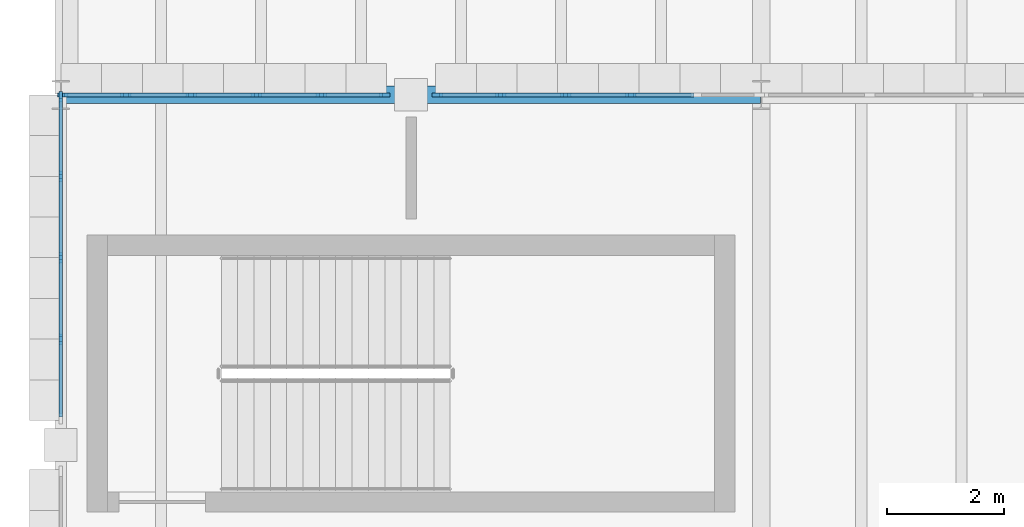
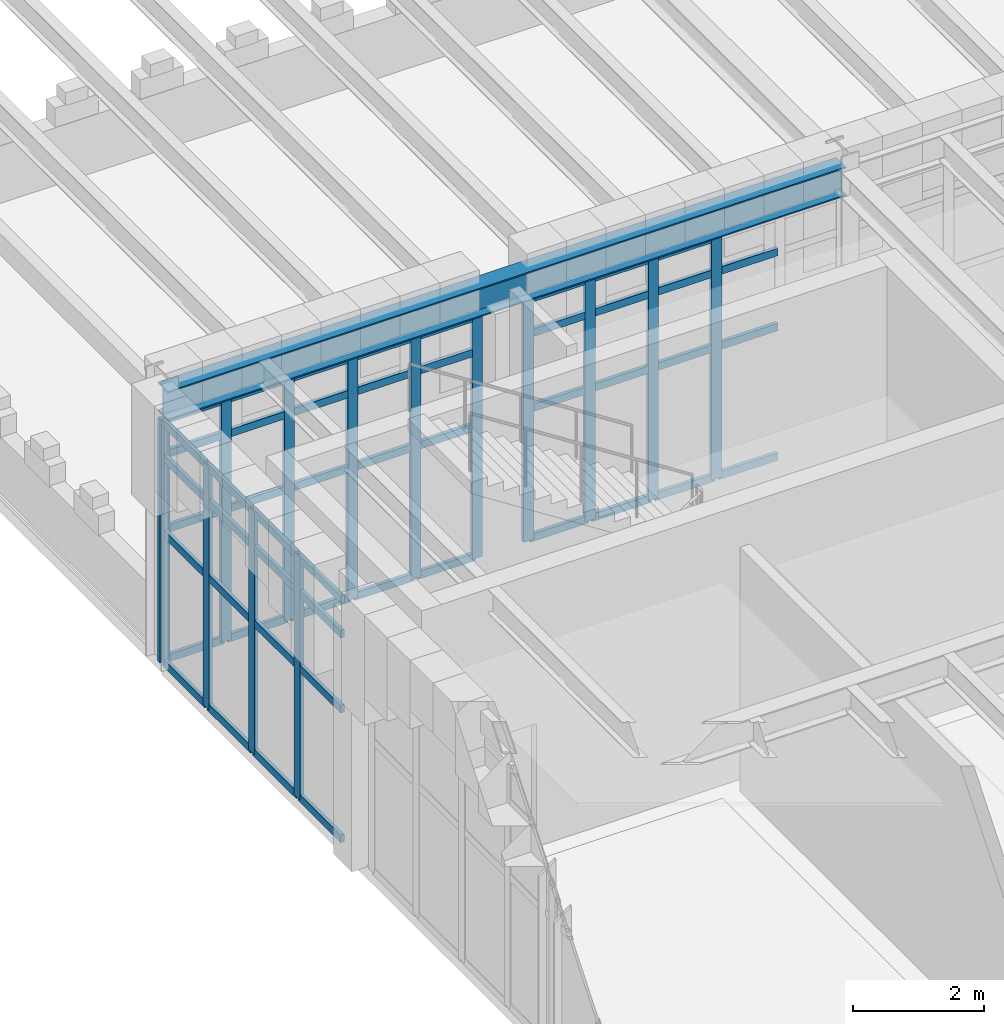
# One storey, part 24 of 100: 65 members, 1 beam, 3 elements without a shape of their own.
"""IFC4 building model written with IfcOpenShell, lengths in metres."""

from ifc_helpers import new_model, si_unit, direction, frame, origin, origin_2d, place, context, subcontext, project, spatial, rectangle, i_section, extrude, material, layer, layer_set, material_profile, profile_set, type_object, element, aggregate, save


model = new_model("IFC4")

# Units and contexts
model_context = context("Model", 3, precision=1e-05, world=origin(), true_north=direction((0.0, 1.0)))
body_context = subcontext(model_context, "Body", "Model", "MODEL_VIEW")
ifc_project = project(units=[si_unit("LENGTHUNIT", "METRE"), si_unit("AREAUNIT", "SQUARE_METRE"), si_unit("VOLUMEUNIT", "CUBIC_METRE"), si_unit("PLANEANGLEUNIT", "RADIAN"), si_unit("MASSUNIT", "GRAM", prefix="KILO")], contexts=[model_context])

# Site, building, storey
site_placement = place(None, origin())
site = spatial("IfcSite", under=ifc_project, at=site_placement, CompositionType="ELEMENT")
building_placement = place(site_placement, origin())
building = spatial("IfcBuilding", under=site, at=building_placement, Name="Zlatogorsky Bluff Art Gallery", CompositionType="ELEMENT")
storey_placement = place(building_placement, frame((0.0, 0.0, 5.39990234375)))
storey = spatial("IfcBuildingStorey", under=building, at=storey_placement, Name="L01", CompositionType="ELEMENT", Elevation=5.39990234375)

# Beam
ifc_material_1 = material(Name="Steel S355", Category="steel")
ifc_material_profile_1 = material_profile(ifc_material_1, i_section(OverallWidth=0.300048828125, OverallDepth=0.5400390625, WebThickness=0.012451171875, FlangeThickness=0.02392578125, FilletRadius=0.027099609375, at=origin_2d()), Name="HEA 550")
ifc_profile_set_1 = profile_set([ifc_material_profile_1], Name="Steel S355")
beam_type = type_object("IfcBeamType", Name="Beam BM-06 HEA 550", PredefinedType="BEAM", material=ifc_profile_set_1)
beam_placement = place(storey_placement, frame((0.014892578125, 108.0, 4.840087890625), z_axis=(1.0, 0.0, 0.0), x_axis=(0.0, 1.0, 0.0)))
element("IfcBeam", 1, at=beam_placement, inside=storey, type_object=beam_type, Name="Primary girder BM-06 L01 A-B/11", PredefinedType="BEAM", context=body_context, shape_type="SweptSolid", body=[
    extrude(i_section(OverallWidth=0.300048828125, OverallDepth=0.5400390625, WebThickness=0.012451171875, FlangeThickness=0.02392578125, FilletRadius=0.027099609375, at=origin_2d()), origin(), (0.0, 0.0, 1.0), 11.97021484375),
])

# Curtain wall, members
ifc_material_2 = material(Name="Anodised Bronze Aluminium and Low-Iron Triple Glazing", Category="aluminium")
ifc_layer_1 = layer(ifc_material_2, 0.179931640625)
ifc_layer_set_1 = layer_set([ifc_layer_1], Name="Curtain Wall CW-03")
curtain_wall_type_1 = type_object("IfcCurtainWallType", Name="Curtain Wall CW-03", PredefinedType="USERDEFINED", material=ifc_layer_set_1)
curtain_wall_1_placement = place(storey_placement, origin())
curtain_wall_1 = element("IfcCurtainWall", 2, at=curtain_wall_1_placement, inside=storey, type_object=curtain_wall_type_1, Name="Unitised curtain wall CW-03 L01 N 0.9-A", ObjectType="CURTAIN WALL", PredefinedType="USERDEFINED")
ifc_material_3 = material(Name="Anodised Bronze Aluminium", Category="aluminium")
ifc_material_profile_2 = material_profile(ifc_material_3, rectangle(XDim=0.06494140625, YDim=0.179931640625, at=origin_2d()), Name="ALU MULLION 65x180")
ifc_profile_set_2 = profile_set([ifc_material_profile_2], Name="Anodised Bronze Aluminium")
member_type_1 = type_object("IfcMemberType", Name="Curtain Mullion ML-01", PredefinedType="MULLION", material=ifc_profile_set_2)
member_1_placement = place(storey_placement, frame((9.76806640625, 108.0, 0.0), z_axis=(0.0, 0.0, 1.0), x_axis=(0.0, -1.0, 0.0)))
member_1 = element("IfcMember", 3, at=member_1_placement, type_object=member_type_1, Name="CW-03 mullion 3", PredefinedType="MULLION", context=body_context, shape_type="SweptSolid", body=[
    extrude(rectangle(XDim=0.06494140625, YDim=0.179931640625, at=origin_2d()), origin(), (0.0, 0.0, 1.0), 4.530029296875),
])
member_2_placement = place(storey_placement, frame((8.652099609375, 108.0, 0.0), z_axis=(0.0, 0.0, 1.0), x_axis=(0.0, -1.0, 0.0)))
member_2 = element("IfcMember", 4, at=member_2_placement, type_object=member_type_1, Name="CW-03 mullion 4", PredefinedType="MULLION", context=body_context, shape_type="SweptSolid", body=[
    extrude(rectangle(XDim=0.06494140625, YDim=0.179931640625, at=origin_2d()), origin(), (0.0, 0.0, 1.0), 4.530029296875),
])
member_3_placement = place(storey_placement, frame((7.535888671875, 108.0, 0.0), z_axis=(0.0, 0.0, 1.0), x_axis=(0.0, -1.0, 0.0)))
member_3 = element("IfcMember", 5, at=member_3_placement, type_object=member_type_1, Name="CW-03 mullion 5", PredefinedType="MULLION", context=body_context, shape_type="SweptSolid", body=[
    extrude(rectangle(XDim=0.06494140625, YDim=0.179931640625, at=origin_2d()), origin(), (0.0, 0.0, 1.0), 4.530029296875),
])
member_4_placement = place(storey_placement, frame((6.452392578125, 108.0, 0.0), z_axis=(0.0, 0.0, 1.0), x_axis=(0.0, -1.0, 0.0)))
member_4 = element("IfcMember", 6, at=member_4_placement, type_object=member_type_1, Name="CW-03 mullion 6", PredefinedType="MULLION", context=body_context, shape_type="SweptSolid", body=[
    extrude(rectangle(XDim=0.06494140625, YDim=0.179931640625, at=origin_2d()), origin(), (0.0, 0.0, 1.0), 4.530029296875),
])

curtain_wall_2_placement = place(storey_placement, origin())
curtain_wall_2 = element("IfcCurtainWall", 7, at=curtain_wall_2_placement, inside=storey, type_object=curtain_wall_type_1, Name="Unitised curtain wall CW-03 L01 N 0.9-B", ObjectType="CURTAIN WALL", PredefinedType="USERDEFINED")
member_5_placement = place(storey_placement, frame((5.547607421875, 108.0, 0.0), z_axis=(0.0, 0.0, 1.0), x_axis=(0.0, -1.0, 0.0)))
member_5 = element("IfcMember", 8, at=member_5_placement, type_object=member_type_1, Name="CW-03 mullion 1", PredefinedType="MULLION", context=body_context, shape_type="SweptSolid", body=[
    extrude(rectangle(XDim=0.06494140625, YDim=0.179931640625, at=origin_2d()), origin(), (0.0, 0.0, 1.0), 4.530029296875),
])
member_6_placement = place(storey_placement, frame((4.464111328125, 108.0, 0.0), z_axis=(0.0, 0.0, 1.0), x_axis=(0.0, -1.0, 0.0)))
member_6 = element("IfcMember", 9, at=member_6_placement, type_object=member_type_1, Name="CW-03 mullion 2", PredefinedType="MULLION", context=body_context, shape_type="SweptSolid", body=[
    extrude(rectangle(XDim=0.06494140625, YDim=0.179931640625, at=origin_2d()), origin(), (0.0, 0.0, 1.0), 4.530029296875),
])
member_7_placement = place(storey_placement, frame((3.347900390625, 108.0, 0.0), z_axis=(0.0, 0.0, 1.0), x_axis=(0.0, -1.0, 0.0)))
member_7 = element("IfcMember", 10, at=member_7_placement, type_object=member_type_1, Name="CW-03 mullion 3", PredefinedType="MULLION", context=body_context, shape_type="SweptSolid", body=[
    extrude(rectangle(XDim=0.06494140625, YDim=0.179931640625, at=origin_2d()), origin(), (0.0, 0.0, 1.0), 4.530029296875),
])
member_8_placement = place(storey_placement, frame((2.23193359375, 108.0, 0.0), z_axis=(0.0, 0.0, 1.0), x_axis=(0.0, -1.0, 0.0)))
member_8 = element("IfcMember", 11, at=member_8_placement, type_object=member_type_1, Name="CW-03 mullion 4", PredefinedType="MULLION", context=body_context, shape_type="SweptSolid", body=[
    extrude(rectangle(XDim=0.06494140625, YDim=0.179931640625, at=origin_2d()), origin(), (0.0, 0.0, 1.0), 4.530029296875),
])
member_9_placement = place(storey_placement, frame((1.115966796875, 108.0, 0.0), z_axis=(0.0, 0.0, 1.0), x_axis=(0.0, -1.0, 0.0)))
member_9 = element("IfcMember", 12, at=member_9_placement, type_object=member_type_1, Name="CW-03 mullion 5", PredefinedType="MULLION", context=body_context, shape_type="SweptSolid", body=[
    extrude(rectangle(XDim=0.06494140625, YDim=0.179931640625, at=origin_2d()), origin(), (0.0, 0.0, 1.0), 4.530029296875),
])
member_10_placement = place(storey_placement, frame((0.032470703125, 108.0, 0.0), z_axis=(0.0, 0.0, 1.0), x_axis=(0.0, -1.0, 0.0)))
member_10 = element("IfcMember", 13, at=member_10_placement, type_object=member_type_1, Name="CW-03 mullion 6", PredefinedType="MULLION", context=body_context, shape_type="SweptSolid", body=[
    extrude(rectangle(XDim=0.06494140625, YDim=0.179931640625, at=origin_2d()), origin(), (0.0, 0.0, 1.0), 4.530029296875),
])

ifc_layer_2 = layer(ifc_material_2, 0.179931640625)
ifc_layer_set_2 = layer_set([ifc_layer_2], Name="Curtain Wall CW-01")
curtain_wall_type_2 = type_object("IfcCurtainWallType", Name="Curtain Wall CW-01", PredefinedType="USERDEFINED", material=ifc_layer_set_2)
curtain_wall_3_placement = place(storey_placement, origin())
curtain_wall_3 = element("IfcCurtainWall", 14, at=curtain_wall_3_placement, inside=storey, type_object=curtain_wall_type_2, Name="Unitised curtain wall CW-01 L01 W 0.9-A", ObjectType="CURTAIN WALL", PredefinedType="USERDEFINED")
member_11_placement = place(storey_placement, frame((0.0, 107.967529296875, 0.0), z_axis=(0.0, 0.0, 1.0), x_axis=(1.0, 0.0, 0.0)))
member_11 = element("IfcMember", 15, at=member_11_placement, type_object=member_type_1, Name="CW-01 mullion 1", PredefinedType="MULLION", context=body_context, shape_type="SweptSolid", body=[
    extrude(rectangle(XDim=0.06494140625, YDim=0.179931640625, at=origin_2d()), origin(), (0.0, 0.0, 1.0), 4.530029296875),
])
member_12_placement = place(storey_placement, frame((0.0, 106.60498046875, 0.0), z_axis=(0.0, 0.0, 1.0), x_axis=(1.0, 0.0, 0.0)))
member_12 = element("IfcMember", 16, at=member_12_placement, type_object=member_type_1, Name="CW-01 mullion 2", PredefinedType="MULLION", context=body_context, shape_type="SweptSolid", body=[
    extrude(rectangle(XDim=0.06494140625, YDim=0.179931640625, at=origin_2d()), origin(), (0.0, 0.0, 1.0), 4.530029296875),
])
member_13_placement = place(storey_placement, frame((0.0, 105.2099609375, 0.0), z_axis=(0.0, 0.0, 1.0), x_axis=(1.0, 0.0, 0.0)))
member_13 = element("IfcMember", 17, at=member_13_placement, type_object=member_type_1, Name="CW-01 mullion 3", PredefinedType="MULLION", context=body_context, shape_type="SweptSolid", body=[
    extrude(rectangle(XDim=0.06494140625, YDim=0.179931640625, at=origin_2d()), origin(), (0.0, 0.0, 1.0), 4.530029296875),
])
member_14_placement = place(storey_placement, frame((0.0, 103.81494140625, 0.0), z_axis=(0.0, 0.0, 1.0), x_axis=(1.0, 0.0, 0.0)))
member_14 = element("IfcMember", 18, at=member_14_placement, type_object=member_type_1, Name="CW-01 mullion 4", PredefinedType="MULLION", context=body_context, shape_type="SweptSolid", body=[
    extrude(rectangle(XDim=0.06494140625, YDim=0.179931640625, at=origin_2d()), origin(), (0.0, 0.0, 1.0), 4.530029296875),
])

# Member
ifc_material_profile_3 = material_profile(ifc_material_3, rectangle(XDim=0.06494140625, YDim=0.139892578125, at=origin_2d()), Name="ALU TRANSOM 65x140")
ifc_profile_set_3 = profile_set([ifc_material_profile_3], Name="Anodised Bronze Aluminium")
member_type_2 = type_object("IfcMemberType", Name="Curtain Transom TR-01", PredefinedType="USERDEFINED", material=ifc_profile_set_3)
member_15_placement = place(storey_placement, frame((10.8515625, 108.0, 0.03271484375), z_axis=(-1.0, 0.0, 0.0), x_axis=(0.0, -1.0, 0.0)))
member_15 = element("IfcMember", 19, at=member_15_placement, type_object=member_type_2, Name="CW-03 transom 2.1", ObjectType="TRANSOM", PredefinedType="USERDEFINED", context=body_context, shape_type="SweptSolid", body=[
    extrude(rectangle(XDim=0.06494140625, YDim=0.139892578125, at=origin_2d()), origin(), (0.0, 0.0, 1.0), 1.051025390625),
])

member_16_placement = place(storey_placement, frame((10.8515625, 108.0, 2.4501953125), z_axis=(-1.0, 0.0, 0.0), x_axis=(0.0, -1.0, 0.0)))
member_16 = element("IfcMember", 20, at=member_16_placement, type_object=member_type_2, Name="CW-03 transom 2.2", ObjectType="TRANSOM", PredefinedType="USERDEFINED", context=body_context, shape_type="SweptSolid", body=[
    extrude(rectangle(XDim=0.06494140625, YDim=0.139892578125, at=origin_2d()), origin(), (0.0, 0.0, 1.0), 1.051025390625),
])

member_17_placement = place(storey_placement, frame((10.8515625, 108.0, 3.85009765625), z_axis=(-1.0, 0.0, 0.0), x_axis=(0.0, -1.0, 0.0)))
member_17 = element("IfcMember", 21, at=member_17_placement, type_object=member_type_2, Name="CW-03 transom 2.3", ObjectType="TRANSOM", PredefinedType="USERDEFINED", context=body_context, shape_type="SweptSolid", body=[
    extrude(rectangle(XDim=0.06494140625, YDim=0.139892578125, at=origin_2d()), origin(), (0.0, 0.0, 1.0), 1.051025390625),
])

member_18_placement = place(storey_placement, frame((9.735595703125, 108.0, 0.03271484375), z_axis=(-1.0, 0.0, 0.0), x_axis=(0.0, -1.0, 0.0)))
member_18 = element("IfcMember", 22, at=member_18_placement, type_object=member_type_2, Name="CW-03 transom 3.1", ObjectType="TRANSOM", PredefinedType="USERDEFINED", context=body_context, shape_type="SweptSolid", body=[
    extrude(rectangle(XDim=0.06494140625, YDim=0.139892578125, at=origin_2d()), origin(), (0.0, 0.0, 1.0), 1.051025390625),
])

member_19_placement = place(storey_placement, frame((9.735595703125, 108.0, 2.4501953125), z_axis=(-1.0, 0.0, 0.0), x_axis=(0.0, -1.0, 0.0)))
member_19 = element("IfcMember", 23, at=member_19_placement, type_object=member_type_2, Name="CW-03 transom 3.2", ObjectType="TRANSOM", PredefinedType="USERDEFINED", context=body_context, shape_type="SweptSolid", body=[
    extrude(rectangle(XDim=0.06494140625, YDim=0.139892578125, at=origin_2d()), origin(), (0.0, 0.0, 1.0), 1.051025390625),
])

member_20_placement = place(storey_placement, frame((9.735595703125, 108.0, 3.85009765625), z_axis=(-1.0, 0.0, 0.0), x_axis=(0.0, -1.0, 0.0)))
member_20 = element("IfcMember", 24, at=member_20_placement, type_object=member_type_2, Name="CW-03 transom 3.3", ObjectType="TRANSOM", PredefinedType="USERDEFINED", context=body_context, shape_type="SweptSolid", body=[
    extrude(rectangle(XDim=0.06494140625, YDim=0.139892578125, at=origin_2d()), origin(), (0.0, 0.0, 1.0), 1.051025390625),
])

member_21_placement = place(storey_placement, frame((9.735595703125, 108.0, 4.49755859375), z_axis=(-1.0, 0.0, 0.0), x_axis=(0.0, -1.0, 0.0)))
member_21 = element("IfcMember", 25, at=member_21_placement, type_object=member_type_2, Name="CW-03 transom 3.4", ObjectType="TRANSOM", PredefinedType="USERDEFINED", context=body_context, shape_type="SweptSolid", body=[
    extrude(rectangle(XDim=0.06494140625, YDim=0.139892578125, at=origin_2d()), origin(), (0.0, 0.0, 1.0), 1.051025390625),
])

member_22_placement = place(storey_placement, frame((8.619384765625, 108.0, 0.03271484375), z_axis=(-1.0, 0.0, 0.0), x_axis=(0.0, -1.0, 0.0)))
member_22 = element("IfcMember", 26, at=member_22_placement, type_object=member_type_2, Name="CW-03 transom 4.1", ObjectType="TRANSOM", PredefinedType="USERDEFINED", context=body_context, shape_type="SweptSolid", body=[
    extrude(rectangle(XDim=0.06494140625, YDim=0.139892578125, at=origin_2d()), origin(), (0.0, 0.0, 1.0), 1.05078125),
])

member_23_placement = place(storey_placement, frame((8.619384765625, 108.0, 2.4501953125), z_axis=(-1.0, 0.0, 0.0), x_axis=(0.0, -1.0, 0.0)))
member_23 = element("IfcMember", 27, at=member_23_placement, type_object=member_type_2, Name="CW-03 transom 4.2", ObjectType="TRANSOM", PredefinedType="USERDEFINED", context=body_context, shape_type="SweptSolid", body=[
    extrude(rectangle(XDim=0.06494140625, YDim=0.139892578125, at=origin_2d()), origin(), (0.0, 0.0, 1.0), 1.05078125),
])

member_24_placement = place(storey_placement, frame((8.619384765625, 108.0, 3.85009765625), z_axis=(-1.0, 0.0, 0.0), x_axis=(0.0, -1.0, 0.0)))
member_24 = element("IfcMember", 28, at=member_24_placement, type_object=member_type_2, Name="CW-03 transom 4.3", ObjectType="TRANSOM", PredefinedType="USERDEFINED", context=body_context, shape_type="SweptSolid", body=[
    extrude(rectangle(XDim=0.06494140625, YDim=0.139892578125, at=origin_2d()), origin(), (0.0, 0.0, 1.0), 1.05078125),
])

member_25_placement = place(storey_placement, frame((8.619384765625, 108.0, 4.49755859375), z_axis=(-1.0, 0.0, 0.0), x_axis=(0.0, -1.0, 0.0)))
member_25 = element("IfcMember", 29, at=member_25_placement, type_object=member_type_2, Name="CW-03 transom 4.4", ObjectType="TRANSOM", PredefinedType="USERDEFINED", context=body_context, shape_type="SweptSolid", body=[
    extrude(rectangle(XDim=0.06494140625, YDim=0.139892578125, at=origin_2d()), origin(), (0.0, 0.0, 1.0), 1.05078125),
])

member_26_placement = place(storey_placement, frame((7.50341796875, 108.0, 0.03271484375), z_axis=(-1.0, 0.0, 0.0), x_axis=(0.0, -1.0, 0.0)))
member_26 = element("IfcMember", 30, at=member_26_placement, type_object=member_type_2, Name="CW-03 transom 5.1", ObjectType="TRANSOM", PredefinedType="USERDEFINED", context=body_context, shape_type="SweptSolid", body=[
    extrude(rectangle(XDim=0.06494140625, YDim=0.139892578125, at=origin_2d()), origin(), (0.0, 0.0, 1.0), 1.018310546875),
])

member_27_placement = place(storey_placement, frame((7.50341796875, 108.0, 2.4501953125), z_axis=(-1.0, 0.0, 0.0), x_axis=(0.0, -1.0, 0.0)))
member_27 = element("IfcMember", 31, at=member_27_placement, type_object=member_type_2, Name="CW-03 transom 5.2", ObjectType="TRANSOM", PredefinedType="USERDEFINED", context=body_context, shape_type="SweptSolid", body=[
    extrude(rectangle(XDim=0.06494140625, YDim=0.139892578125, at=origin_2d()), origin(), (0.0, 0.0, 1.0), 1.018310546875),
])

member_28_placement = place(storey_placement, frame((7.50341796875, 108.0, 3.85009765625), z_axis=(-1.0, 0.0, 0.0), x_axis=(0.0, -1.0, 0.0)))
member_28 = element("IfcMember", 32, at=member_28_placement, type_object=member_type_2, Name="CW-03 transom 5.3", ObjectType="TRANSOM", PredefinedType="USERDEFINED", context=body_context, shape_type="SweptSolid", body=[
    extrude(rectangle(XDim=0.06494140625, YDim=0.139892578125, at=origin_2d()), origin(), (0.0, 0.0, 1.0), 1.018310546875),
])

member_29_placement = place(storey_placement, frame((7.50341796875, 108.0, 4.49755859375), z_axis=(-1.0, 0.0, 0.0), x_axis=(0.0, -1.0, 0.0)))
member_29 = element("IfcMember", 33, at=member_29_placement, type_object=member_type_2, Name="CW-03 transom 5.4", ObjectType="TRANSOM", PredefinedType="USERDEFINED", context=body_context, shape_type="SweptSolid", body=[
    extrude(rectangle(XDim=0.06494140625, YDim=0.139892578125, at=origin_2d()), origin(), (0.0, 0.0, 1.0), 1.018310546875),
])

aggregate(curtain_wall_1, [member_1, member_2, member_3, member_4, member_15, member_16, member_17, member_18, member_19, member_20, member_21, member_22, member_23, member_24, member_25, member_26, member_27, member_28, member_29])

member_30_placement = place(storey_placement, frame((5.514892578125, 108.0, 0.03271484375), z_axis=(-1.0, 0.0, 0.0), x_axis=(0.0, -1.0, 0.0)))
member_30 = element("IfcMember", 34, at=member_30_placement, type_object=member_type_2, Name="CW-03 transom 1.1", ObjectType="TRANSOM", PredefinedType="USERDEFINED", context=body_context, shape_type="SweptSolid", body=[
    extrude(rectangle(XDim=0.06494140625, YDim=0.139892578125, at=origin_2d()), origin(), (0.0, 0.0, 1.0), 1.018310546875),
])

member_31_placement = place(storey_placement, frame((5.514892578125, 108.0, 2.4501953125), z_axis=(-1.0, 0.0, 0.0), x_axis=(0.0, -1.0, 0.0)))
member_31 = element("IfcMember", 35, at=member_31_placement, type_object=member_type_2, Name="CW-03 transom 1.2", ObjectType="TRANSOM", PredefinedType="USERDEFINED", context=body_context, shape_type="SweptSolid", body=[
    extrude(rectangle(XDim=0.06494140625, YDim=0.139892578125, at=origin_2d()), origin(), (0.0, 0.0, 1.0), 1.018310546875),
])

member_32_placement = place(storey_placement, frame((5.514892578125, 108.0, 3.85009765625), z_axis=(-1.0, 0.0, 0.0), x_axis=(0.0, -1.0, 0.0)))
member_32 = element("IfcMember", 36, at=member_32_placement, type_object=member_type_2, Name="CW-03 transom 1.3", ObjectType="TRANSOM", PredefinedType="USERDEFINED", context=body_context, shape_type="SweptSolid", body=[
    extrude(rectangle(XDim=0.06494140625, YDim=0.139892578125, at=origin_2d()), origin(), (0.0, 0.0, 1.0), 1.018310546875),
])

member_33_placement = place(storey_placement, frame((5.514892578125, 108.0, 4.49755859375), z_axis=(-1.0, 0.0, 0.0), x_axis=(0.0, -1.0, 0.0)))
member_33 = element("IfcMember", 37, at=member_33_placement, type_object=member_type_2, Name="CW-03 transom 1.4", ObjectType="TRANSOM", PredefinedType="USERDEFINED", context=body_context, shape_type="SweptSolid", body=[
    extrude(rectangle(XDim=0.06494140625, YDim=0.139892578125, at=origin_2d()), origin(), (0.0, 0.0, 1.0), 1.018310546875),
])

member_34_placement = place(storey_placement, frame((4.431396484375, 108.0, 0.03271484375), z_axis=(-1.0, 0.0, 0.0), x_axis=(0.0, -1.0, 0.0)))
member_34 = element("IfcMember", 38, at=member_34_placement, type_object=member_type_2, Name="CW-03 transom 2.1", ObjectType="TRANSOM", PredefinedType="USERDEFINED", context=body_context, shape_type="SweptSolid", body=[
    extrude(rectangle(XDim=0.06494140625, YDim=0.139892578125, at=origin_2d()), origin(), (0.0, 0.0, 1.0), 1.05078125),
])

member_35_placement = place(storey_placement, frame((4.431396484375, 108.0, 2.4501953125), z_axis=(-1.0, 0.0, 0.0), x_axis=(0.0, -1.0, 0.0)))
member_35 = element("IfcMember", 39, at=member_35_placement, type_object=member_type_2, Name="CW-03 transom 2.2", ObjectType="TRANSOM", PredefinedType="USERDEFINED", context=body_context, shape_type="SweptSolid", body=[
    extrude(rectangle(XDim=0.06494140625, YDim=0.139892578125, at=origin_2d()), origin(), (0.0, 0.0, 1.0), 1.05078125),
])

member_36_placement = place(storey_placement, frame((4.431396484375, 108.0, 3.85009765625), z_axis=(-1.0, 0.0, 0.0), x_axis=(0.0, -1.0, 0.0)))
member_36 = element("IfcMember", 40, at=member_36_placement, type_object=member_type_2, Name="CW-03 transom 2.3", ObjectType="TRANSOM", PredefinedType="USERDEFINED", context=body_context, shape_type="SweptSolid", body=[
    extrude(rectangle(XDim=0.06494140625, YDim=0.139892578125, at=origin_2d()), origin(), (0.0, 0.0, 1.0), 1.05078125),
])

member_37_placement = place(storey_placement, frame((4.431396484375, 108.0, 4.49755859375), z_axis=(-1.0, 0.0, 0.0), x_axis=(0.0, -1.0, 0.0)))
member_37 = element("IfcMember", 41, at=member_37_placement, type_object=member_type_2, Name="CW-03 transom 2.4", ObjectType="TRANSOM", PredefinedType="USERDEFINED", context=body_context, shape_type="SweptSolid", body=[
    extrude(rectangle(XDim=0.06494140625, YDim=0.139892578125, at=origin_2d()), origin(), (0.0, 0.0, 1.0), 1.05078125),
])

member_38_placement = place(storey_placement, frame((3.3154296875, 108.0, 0.03271484375), z_axis=(-1.0, 0.0, 0.0), x_axis=(0.0, -1.0, 0.0)))
member_38 = element("IfcMember", 42, at=member_38_placement, type_object=member_type_2, Name="CW-03 transom 3.1", ObjectType="TRANSOM", PredefinedType="USERDEFINED", context=body_context, shape_type="SweptSolid", body=[
    extrude(rectangle(XDim=0.06494140625, YDim=0.139892578125, at=origin_2d()), origin(), (0.0, 0.0, 1.0), 1.051025390625),
])

member_39_placement = place(storey_placement, frame((3.3154296875, 108.0, 2.4501953125), z_axis=(-1.0, 0.0, 0.0), x_axis=(0.0, -1.0, 0.0)))
member_39 = element("IfcMember", 43, at=member_39_placement, type_object=member_type_2, Name="CW-03 transom 3.2", ObjectType="TRANSOM", PredefinedType="USERDEFINED", context=body_context, shape_type="SweptSolid", body=[
    extrude(rectangle(XDim=0.06494140625, YDim=0.139892578125, at=origin_2d()), origin(), (0.0, 0.0, 1.0), 1.051025390625),
])

member_40_placement = place(storey_placement, frame((3.3154296875, 108.0, 3.85009765625), z_axis=(-1.0, 0.0, 0.0), x_axis=(0.0, -1.0, 0.0)))
member_40 = element("IfcMember", 44, at=member_40_placement, type_object=member_type_2, Name="CW-03 transom 3.3", ObjectType="TRANSOM", PredefinedType="USERDEFINED", context=body_context, shape_type="SweptSolid", body=[
    extrude(rectangle(XDim=0.06494140625, YDim=0.139892578125, at=origin_2d()), origin(), (0.0, 0.0, 1.0), 1.051025390625),
])

member_41_placement = place(storey_placement, frame((3.3154296875, 108.0, 4.49755859375), z_axis=(-1.0, 0.0, 0.0), x_axis=(0.0, -1.0, 0.0)))
member_41 = element("IfcMember", 45, at=member_41_placement, type_object=member_type_2, Name="CW-03 transom 3.4", ObjectType="TRANSOM", PredefinedType="USERDEFINED", context=body_context, shape_type="SweptSolid", body=[
    extrude(rectangle(XDim=0.06494140625, YDim=0.139892578125, at=origin_2d()), origin(), (0.0, 0.0, 1.0), 1.051025390625),
])

member_42_placement = place(storey_placement, frame((2.199462890625, 108.0, 0.03271484375), z_axis=(-1.0, 0.0, 0.0), x_axis=(0.0, -1.0, 0.0)))
member_42 = element("IfcMember", 46, at=member_42_placement, type_object=member_type_2, Name="CW-03 transom 4.1", ObjectType="TRANSOM", PredefinedType="USERDEFINED", context=body_context, shape_type="SweptSolid", body=[
    extrude(rectangle(XDim=0.06494140625, YDim=0.139892578125, at=origin_2d()), origin(), (0.0, 0.0, 1.0), 1.051025390625),
])

member_43_placement = place(storey_placement, frame((2.199462890625, 108.0, 2.4501953125), z_axis=(-1.0, 0.0, 0.0), x_axis=(0.0, -1.0, 0.0)))
member_43 = element("IfcMember", 47, at=member_43_placement, type_object=member_type_2, Name="CW-03 transom 4.2", ObjectType="TRANSOM", PredefinedType="USERDEFINED", context=body_context, shape_type="SweptSolid", body=[
    extrude(rectangle(XDim=0.06494140625, YDim=0.139892578125, at=origin_2d()), origin(), (0.0, 0.0, 1.0), 1.051025390625),
])

member_44_placement = place(storey_placement, frame((2.199462890625, 108.0, 3.85009765625), z_axis=(-1.0, 0.0, 0.0), x_axis=(0.0, -1.0, 0.0)))
member_44 = element("IfcMember", 48, at=member_44_placement, type_object=member_type_2, Name="CW-03 transom 4.3", ObjectType="TRANSOM", PredefinedType="USERDEFINED", context=body_context, shape_type="SweptSolid", body=[
    extrude(rectangle(XDim=0.06494140625, YDim=0.139892578125, at=origin_2d()), origin(), (0.0, 0.0, 1.0), 1.051025390625),
])

member_45_placement = place(storey_placement, frame((2.199462890625, 108.0, 4.49755859375), z_axis=(-1.0, 0.0, 0.0), x_axis=(0.0, -1.0, 0.0)))
member_45 = element("IfcMember", 49, at=member_45_placement, type_object=member_type_2, Name="CW-03 transom 4.4", ObjectType="TRANSOM", PredefinedType="USERDEFINED", context=body_context, shape_type="SweptSolid", body=[
    extrude(rectangle(XDim=0.06494140625, YDim=0.139892578125, at=origin_2d()), origin(), (0.0, 0.0, 1.0), 1.051025390625),
])

member_46_placement = place(storey_placement, frame((1.08349609375, 108.0, 0.03271484375), z_axis=(-1.0, 0.0, 0.0), x_axis=(0.0, -1.0, 0.0)))
member_46 = element("IfcMember", 50, at=member_46_placement, type_object=member_type_2, Name="CW-03 transom 5.1", ObjectType="TRANSOM", PredefinedType="USERDEFINED", context=body_context, shape_type="SweptSolid", body=[
    extrude(rectangle(XDim=0.06494140625, YDim=0.139892578125, at=origin_2d()), origin(), (0.0, 0.0, 1.0), 1.0185546875),
])

member_47_placement = place(storey_placement, frame((1.08349609375, 108.0, 2.4501953125), z_axis=(-1.0, 0.0, 0.0), x_axis=(0.0, -1.0, 0.0)))
member_47 = element("IfcMember", 51, at=member_47_placement, type_object=member_type_2, Name="CW-03 transom 5.2", ObjectType="TRANSOM", PredefinedType="USERDEFINED", context=body_context, shape_type="SweptSolid", body=[
    extrude(rectangle(XDim=0.06494140625, YDim=0.139892578125, at=origin_2d()), origin(), (0.0, 0.0, 1.0), 1.0185546875),
])

member_48_placement = place(storey_placement, frame((1.08349609375, 108.0, 3.85009765625), z_axis=(-1.0, 0.0, 0.0), x_axis=(0.0, -1.0, 0.0)))
member_48 = element("IfcMember", 52, at=member_48_placement, type_object=member_type_2, Name="CW-03 transom 5.3", ObjectType="TRANSOM", PredefinedType="USERDEFINED", context=body_context, shape_type="SweptSolid", body=[
    extrude(rectangle(XDim=0.06494140625, YDim=0.139892578125, at=origin_2d()), origin(), (0.0, 0.0, 1.0), 1.0185546875),
])

member_49_placement = place(storey_placement, frame((1.08349609375, 108.0, 4.49755859375), z_axis=(-1.0, 0.0, 0.0), x_axis=(0.0, -1.0, 0.0)))
member_49 = element("IfcMember", 53, at=member_49_placement, type_object=member_type_2, Name="CW-03 transom 5.4", ObjectType="TRANSOM", PredefinedType="USERDEFINED", context=body_context, shape_type="SweptSolid", body=[
    extrude(rectangle(XDim=0.06494140625, YDim=0.139892578125, at=origin_2d()), origin(), (0.0, 0.0, 1.0), 1.0185546875),
])

aggregate(curtain_wall_2, [member_5, member_6, member_7, member_8, member_9, member_10, member_30, member_31, member_32, member_33, member_34, member_35, member_36, member_37, member_38, member_39, member_40, member_41, member_42, member_43, member_44, member_45, member_46, member_47, member_48, member_49])

member_50_placement = place(storey_placement, frame((0.0, 107.93505859375, 0.03271484375), z_axis=(0.0, -1.0, 0.0), x_axis=(1.0, 0.0, 0.0)))
member_50 = element("IfcMember", 54, at=member_50_placement, type_object=member_type_2, Name="CW-01 transom 1.1", ObjectType="TRANSOM", PredefinedType="USERDEFINED", context=body_context, shape_type="SweptSolid", body=[
    extrude(rectangle(XDim=0.06494140625, YDim=0.139892578125, at=origin_2d()), origin(), (0.0, 0.0, 1.0), 1.297607421875),
])

member_51_placement = place(storey_placement, frame((0.0, 107.93505859375, 2.4501953125), z_axis=(0.0, -1.0, 0.0), x_axis=(1.0, 0.0, 0.0)))
member_51 = element("IfcMember", 55, at=member_51_placement, type_object=member_type_2, Name="CW-01 transom 1.2", ObjectType="TRANSOM", PredefinedType="USERDEFINED", context=body_context, shape_type="SweptSolid", body=[
    extrude(rectangle(XDim=0.06494140625, YDim=0.139892578125, at=origin_2d()), origin(), (0.0, 0.0, 1.0), 1.297607421875),
])

member_52_placement = place(storey_placement, frame((0.0, 107.93505859375, 3.85009765625), z_axis=(0.0, -1.0, 0.0), x_axis=(1.0, 0.0, 0.0)))
member_52 = element("IfcMember", 56, at=member_52_placement, type_object=member_type_2, Name="CW-01 transom 1.3", ObjectType="TRANSOM", PredefinedType="USERDEFINED", context=body_context, shape_type="SweptSolid", body=[
    extrude(rectangle(XDim=0.06494140625, YDim=0.139892578125, at=origin_2d()), origin(), (0.0, 0.0, 1.0), 1.297607421875),
])

member_53_placement = place(storey_placement, frame((0.0, 107.93505859375, 4.49755859375), z_axis=(0.0, -1.0, 0.0), x_axis=(1.0, 0.0, 0.0)))
member_53 = element("IfcMember", 57, at=member_53_placement, type_object=member_type_2, Name="CW-01 transom 1.4", ObjectType="TRANSOM", PredefinedType="USERDEFINED", context=body_context, shape_type="SweptSolid", body=[
    extrude(rectangle(XDim=0.06494140625, YDim=0.139892578125, at=origin_2d()), origin(), (0.0, 0.0, 1.0), 1.297607421875),
])

member_54_placement = place(storey_placement, frame((0.0, 106.572509765625, 0.03271484375), z_axis=(0.0, -1.0, 0.0), x_axis=(1.0, 0.0, 0.0)))
member_54 = element("IfcMember", 58, at=member_54_placement, type_object=member_type_2, Name="CW-01 transom 2.1", ObjectType="TRANSOM", PredefinedType="USERDEFINED", context=body_context, shape_type="SweptSolid", body=[
    extrude(rectangle(XDim=0.06494140625, YDim=0.139892578125, at=origin_2d()), origin(), (0.0, 0.0, 1.0), 1.330078125),
])

member_55_placement = place(storey_placement, frame((0.0, 106.572509765625, 2.4501953125), z_axis=(0.0, -1.0, 0.0), x_axis=(1.0, 0.0, 0.0)))
member_55 = element("IfcMember", 59, at=member_55_placement, type_object=member_type_2, Name="CW-01 transom 2.2", ObjectType="TRANSOM", PredefinedType="USERDEFINED", context=body_context, shape_type="SweptSolid", body=[
    extrude(rectangle(XDim=0.06494140625, YDim=0.139892578125, at=origin_2d()), origin(), (0.0, 0.0, 1.0), 1.330078125),
])

member_56_placement = place(storey_placement, frame((0.0, 106.572509765625, 3.85009765625), z_axis=(0.0, -1.0, 0.0), x_axis=(1.0, 0.0, 0.0)))
member_56 = element("IfcMember", 60, at=member_56_placement, type_object=member_type_2, Name="CW-01 transom 2.3", ObjectType="TRANSOM", PredefinedType="USERDEFINED", context=body_context, shape_type="SweptSolid", body=[
    extrude(rectangle(XDim=0.06494140625, YDim=0.139892578125, at=origin_2d()), origin(), (0.0, 0.0, 1.0), 1.330078125),
])

member_57_placement = place(storey_placement, frame((0.0, 106.572509765625, 4.49755859375), z_axis=(0.0, -1.0, 0.0), x_axis=(1.0, 0.0, 0.0)))
member_57 = element("IfcMember", 61, at=member_57_placement, type_object=member_type_2, Name="CW-01 transom 2.4", ObjectType="TRANSOM", PredefinedType="USERDEFINED", context=body_context, shape_type="SweptSolid", body=[
    extrude(rectangle(XDim=0.06494140625, YDim=0.139892578125, at=origin_2d()), origin(), (0.0, 0.0, 1.0), 1.330078125),
])

member_58_placement = place(storey_placement, frame((0.0, 105.177490234375, 0.03271484375), z_axis=(0.0, -1.0, 0.0), x_axis=(1.0, 0.0, 0.0)))
member_58 = element("IfcMember", 62, at=member_58_placement, type_object=member_type_2, Name="CW-01 transom 3.1", ObjectType="TRANSOM", PredefinedType="USERDEFINED", context=body_context, shape_type="SweptSolid", body=[
    extrude(rectangle(XDim=0.06494140625, YDim=0.139892578125, at=origin_2d()), origin(), (0.0, 0.0, 1.0), 1.330078125),
])

member_59_placement = place(storey_placement, frame((0.0, 105.177490234375, 2.4501953125), z_axis=(0.0, -1.0, 0.0), x_axis=(1.0, 0.0, 0.0)))
member_59 = element("IfcMember", 63, at=member_59_placement, type_object=member_type_2, Name="CW-01 transom 3.2", ObjectType="TRANSOM", PredefinedType="USERDEFINED", context=body_context, shape_type="SweptSolid", body=[
    extrude(rectangle(XDim=0.06494140625, YDim=0.139892578125, at=origin_2d()), origin(), (0.0, 0.0, 1.0), 1.330078125),
])

member_60_placement = place(storey_placement, frame((0.0, 105.177490234375, 3.85009765625), z_axis=(0.0, -1.0, 0.0), x_axis=(1.0, 0.0, 0.0)))
member_60 = element("IfcMember", 64, at=member_60_placement, type_object=member_type_2, Name="CW-01 transom 3.3", ObjectType="TRANSOM", PredefinedType="USERDEFINED", context=body_context, shape_type="SweptSolid", body=[
    extrude(rectangle(XDim=0.06494140625, YDim=0.139892578125, at=origin_2d()), origin(), (0.0, 0.0, 1.0), 1.330078125),
])

member_61_placement = place(storey_placement, frame((0.0, 105.177490234375, 4.49755859375), z_axis=(0.0, -1.0, 0.0), x_axis=(1.0, 0.0, 0.0)))
member_61 = element("IfcMember", 65, at=member_61_placement, type_object=member_type_2, Name="CW-01 transom 3.4", ObjectType="TRANSOM", PredefinedType="USERDEFINED", context=body_context, shape_type="SweptSolid", body=[
    extrude(rectangle(XDim=0.06494140625, YDim=0.139892578125, at=origin_2d()), origin(), (0.0, 0.0, 1.0), 1.330078125),
])

member_62_placement = place(storey_placement, frame((0.0, 103.782470703125, 0.03271484375), z_axis=(0.0, -1.0, 0.0), x_axis=(1.0, 0.0, 0.0)))
member_62 = element("IfcMember", 66, at=member_62_placement, type_object=member_type_2, Name="CW-01 transom 4.1", ObjectType="TRANSOM", PredefinedType="USERDEFINED", context=body_context, shape_type="SweptSolid", body=[
    extrude(rectangle(XDim=0.06494140625, YDim=0.139892578125, at=origin_2d()), origin(), (0.0, 0.0, 1.0), 1.29736328125),
])

member_63_placement = place(storey_placement, frame((0.0, 103.782470703125, 2.4501953125), z_axis=(0.0, -1.0, 0.0), x_axis=(1.0, 0.0, 0.0)))
member_63 = element("IfcMember", 67, at=member_63_placement, type_object=member_type_2, Name="CW-01 transom 4.2", ObjectType="TRANSOM", PredefinedType="USERDEFINED", context=body_context, shape_type="SweptSolid", body=[
    extrude(rectangle(XDim=0.06494140625, YDim=0.139892578125, at=origin_2d()), origin(), (0.0, 0.0, 1.0), 1.29736328125),
])

member_64_placement = place(storey_placement, frame((0.0, 103.782470703125, 3.85009765625), z_axis=(0.0, -1.0, 0.0), x_axis=(1.0, 0.0, 0.0)))
member_64 = element("IfcMember", 68, at=member_64_placement, type_object=member_type_2, Name="CW-01 transom 4.3", ObjectType="TRANSOM", PredefinedType="USERDEFINED", context=body_context, shape_type="SweptSolid", body=[
    extrude(rectangle(XDim=0.06494140625, YDim=0.139892578125, at=origin_2d()), origin(), (0.0, 0.0, 1.0), 1.29736328125),
])

member_65_placement = place(storey_placement, frame((0.0, 103.782470703125, 4.49755859375), z_axis=(0.0, -1.0, 0.0), x_axis=(1.0, 0.0, 0.0)))
member_65 = element("IfcMember", 69, at=member_65_placement, type_object=member_type_2, Name="CW-01 transom 4.4", ObjectType="TRANSOM", PredefinedType="USERDEFINED", context=body_context, shape_type="SweptSolid", body=[
    extrude(rectangle(XDim=0.06494140625, YDim=0.139892578125, at=origin_2d()), origin(), (0.0, 0.0, 1.0), 1.29736328125),
])

aggregate(curtain_wall_3, [member_11, member_12, member_13, member_14, member_50, member_51, member_52, member_53, member_54, member_55, member_56, member_57, member_58, member_59, member_60, member_61, member_62, member_63, member_64, member_65])

save(model, "model.ifc")
